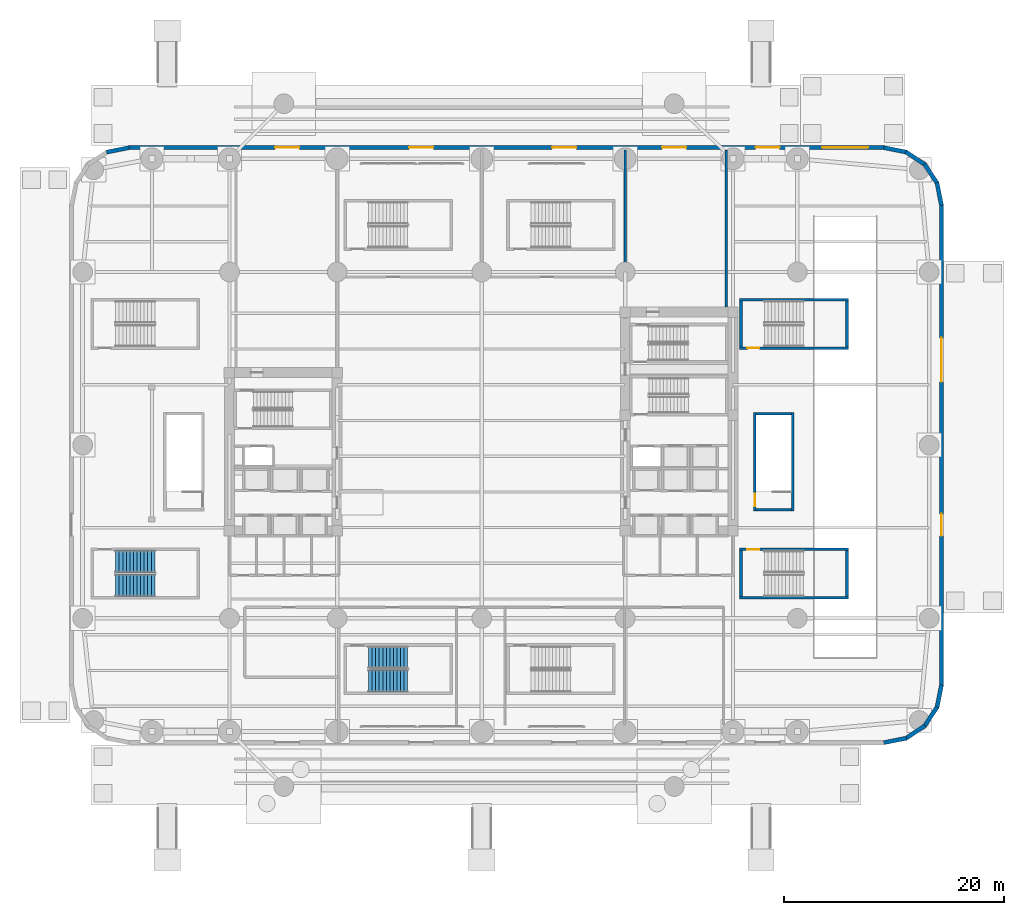
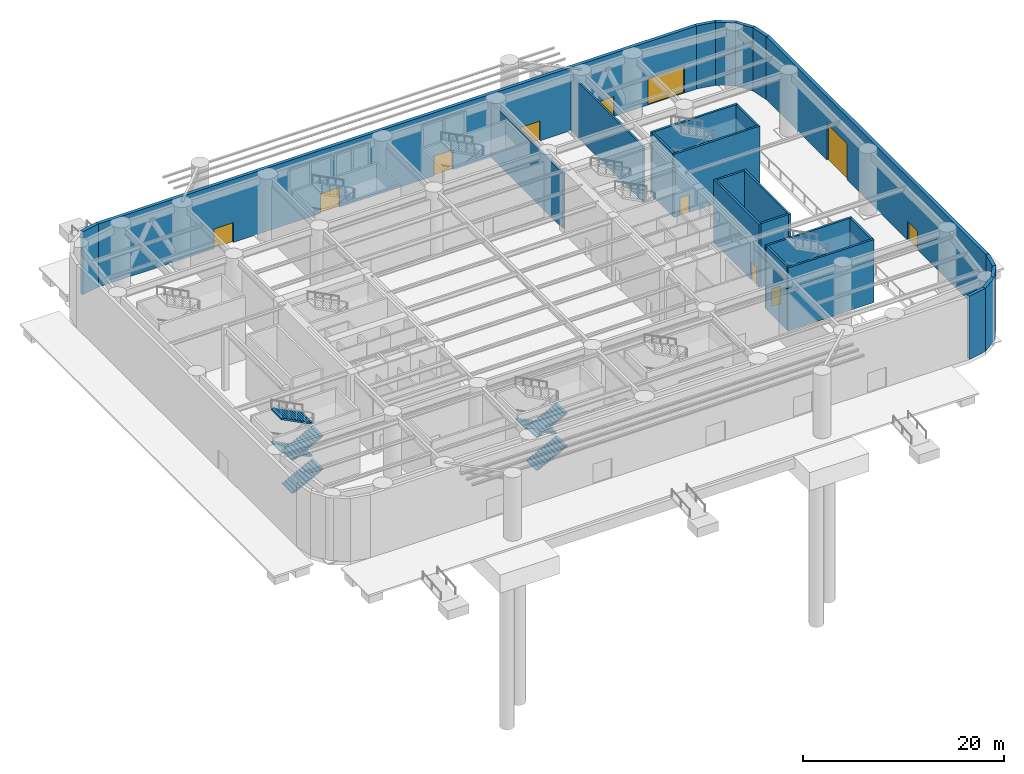
# One storey, part 13 of 25: 25 walls, 11 doors, 7 stair flights, 11 openings, 2 elements without a shape of their own.
"""IFC4 building model written with IfcOpenShell, lengths in metres."""

from ifc_helpers import new_model, si_unit, direction, frame, frame_2d, origin, place, context, subcontext, project, spatial, polyline, rectangle, outline, extrude, material, layer, layer_set, type_object, element, fill, aggregate, save


model = new_model("IFC4")

# Units and contexts
model_context = context("Model", 3, precision=1e-05, world=origin(), true_north=direction((0.0, 1.0)))
body_context = subcontext(model_context, "Body", "Model", "MODEL_VIEW")
ifc_project = project(units=[si_unit("LENGTHUNIT", "METRE"), si_unit("AREAUNIT", "SQUARE_METRE"), si_unit("VOLUMEUNIT", "CUBIC_METRE"), si_unit("PLANEANGLEUNIT", "RADIAN"), si_unit("MASSUNIT", "GRAM", prefix="KILO")], contexts=[model_context])

# Site, building, storey
site_placement = place(None, origin())
site = spatial("IfcSite", under=ifc_project, at=site_placement, CompositionType="ELEMENT")
building_placement = place(site_placement, origin())
building = spatial("IfcBuilding", under=site, at=building_placement, Name="Kolvaren Arena Tower", CompositionType="ELEMENT")
storey_placement = place(building_placement, origin())
storey = spatial("IfcBuildingStorey", under=building, at=storey_placement, Name="L00", CompositionType="ELEMENT", Elevation=0.0)

# Walls
ifc_material_1 = material(Name="Precast concrete C50/60", Category="concrete")
ifc_layer_1 = layer(ifc_material_1, 0.3798828125)
ifc_layer_set_1 = layer_set([ifc_layer_1], Name="Precast concrete C50/60")
wall_type_1 = type_object("IfcWallType", Name="EXT-ARENA", PredefinedType="SOLIDWALL", material=ifc_layer_set_1)
for number, where, z_axis, x_axis, name in (
    (1, (76.12939453125, 0.597412109375, 0.0), (0.0, 0.0, 1.0), (-0.9807762837, -0.195135546048, 0.0), "Exterior Precast Masonry-Frame Wall (L00)"),
    (2, (77.812744140625, 1.739501953125, 0.0), (0.0, 0.0, 1.0), (-0.831515102434, -0.555502146192, 0.0), "Exterior Precast Masonry-Frame Wall (L00)"),
    (3, (78.930908203125, 3.439208984375, 0.0), (0.0, 0.0, 1.0), (-0.555502146192, -0.831515102434, 0.0), "Exterior Precast Masonry-Frame Wall (L00)"),
    (4, (79.313720703125, 5.43701171875, 0.0), (0.0, 0.0, 1.0), (-0.195135546048, -0.9807762837, 0.0), "Exterior Precast Masonry-Frame Wall (L00)"),
):
    element("IfcWall", number, at=place(storey_placement, frame(where, z_axis=z_axis, x_axis=x_axis)), inside=storey, type_object=wall_type_1, Name=name, PredefinedType="SOLIDWALL", context=body_context, shape_type="SweptSolid", body=[
        extrude(rectangle(XDim=2.10693359375, YDim=0.3798828125, at=frame_2d((1.053466796875, 0.0))), origin(), (0.0, 0.0, 1.0), 7.64990234375),
    ])

# Wall, openings, doors
wall_1_placement = place(storey_placement, frame((79.31005859375, 49.10009765625, 0.0), z_axis=(0.0, 0.0, 1.0), x_axis=(0.0, -1.0, 0.0)))
wall_1 = element("IfcWall", 5, at=wall_1_placement, inside=storey, type_object=wall_type_1, Name="Exterior Precast Masonry-Frame Wall (L00)", PredefinedType="SOLIDWALL", context=body_context, shape_type="SweptSolid", body=[
    extrude(rectangle(XDim=43.7001953125, YDim=0.3798828125, at=frame_2d((21.85009765625, 0.0))), origin(), (0.0, 0.0, 1.0), 7.64990234375),
])
opening_1_placement = place(wall_1_placement, frame((12.10009765625, 0.0, 0.0)))
opening_1 = element("IfcOpeningElement", 6, at=opening_1_placement, cuts=wall_1, Name="Opening VG2", PredefinedType="OPENING", context=body_context, shape_type="SweptSolid", body=[
    extrude(rectangle(XDim=4.0, YDim=4.39990234375, at=frame_2d((2.0, 2.199951171875))), frame((0.0, 0.199951171875, 0.0), z_axis=(0.0, -1.0, 0.0), x_axis=(1.0, 0.0, 0.0)), (0.0, 0.0, 1.0), 0.39990234375),
])
opening_2_placement = place(wall_1_placement, frame((28.10009765625, 0.0, 0.0)))
opening_2 = element("IfcOpeningElement", 7, at=opening_2_placement, cuts=wall_1, Name="Opening D02", PredefinedType="OPENING", context=body_context, shape_type="SweptSolid", body=[
    extrude(rectangle(XDim=2.0, YDim=2.300048828125, at=frame_2d((1.0, 1.14990234375))), frame((0.0, 0.199951171875, 0.0), z_axis=(0.0, -1.0, 0.0), x_axis=(1.0, 0.0, 0.0)), (0.0, 0.0, 1.0), 0.39990234375),
])
ifc_material_2 = material(Name="Painted hollow metal assembly door", Category="steel")
door_type_1 = type_object("IfcDoorType", Name="DOOR-AR-DBL", OperationType="DOUBLE_DOOR_SINGLE_SWING", PredefinedType="DOOR", material=ifc_material_2)
door_1_placement = place(opening_2_placement, origin())
door_1 = element("IfcDoor", 8, at=door_1_placement, inside=storey, type_object=door_type_1, Name="East Tower Lobby Final Exit Door", OperationType="DOUBLE_DOOR_SINGLE_SWING", OverallHeight=2.300048828125, OverallWidth=2.0, PredefinedType="DOOR", context=body_context, shape_type="SweptSolid", body=[
    extrude(rectangle(XDim=2.0, YDim=2.300048828125, at=frame_2d((1.0, 1.14990234375))), frame((0.0, 0.02490234375, 0.0), z_axis=(0.0, -1.0, 0.0), x_axis=(1.0, 0.0, 0.0)), (0.0, 0.0, 1.0), 0.050048828125),
])
fill(opening_2, door_1)
ifc_material_3 = material(Name="Insulated steel loading dock coiling shutter", Category="steel")
door_type_2 = type_object("IfcDoorType", Name="GATE-DK-400", OperationType="ROLLINGUP", PredefinedType="GATE", material=ifc_material_3)
door_2_placement = place(opening_1_placement, origin())
door_2 = element("IfcDoor", 9, at=door_2_placement, inside=storey, type_object=door_type_2, Name="Arena Loading Dock Coiling Shutter VG2", OperationType="ROLLINGUP", OverallHeight=4.39990234375, OverallWidth=4.0, PredefinedType="GATE", context=body_context, shape_type="SweptSolid", body=[
    extrude(rectangle(XDim=4.0, YDim=4.39990234375, at=frame_2d((2.0, 2.199951171875))), frame((0.0, 0.02490234375, 0.0), z_axis=(0.0, -1.0, 0.0), x_axis=(1.0, 0.0, 0.0)), (0.0, 0.0, 1.0), 0.050048828125),
])
fill(opening_1, door_2)

# Walls
for number, where, z_axis, x_axis, name in (
    (10, (78.902587890625, 51.12939453125, 0.0), (0.0, 0.0, 1.0), (0.195135546048, -0.9807762837, 0.0), "Exterior Precast Masonry-Frame Wall (L00)"),
    (11, (77.760498046875, 52.812744140625, 0.0), (0.0, 0.0, 1.0), (0.555502146192, -0.831515102434, 0.0), "Exterior Precast Masonry-Frame Wall (L00)"),
    (12, (76.060791015625, 53.930908203125, 0.0), (0.0, 0.0, 1.0), (0.831515102434, -0.555502146192, 0.0), "Exterior Precast Masonry-Frame Wall (L00)"),
    (13, (74.06298828125, 54.313720703125, 0.0), (0.0, 0.0, 1.0), (0.9807762837, -0.195135546048, 0.0), "Exterior Precast Masonry-Frame Wall (L00)"),
):
    element("IfcWall", number, at=place(storey_placement, frame(where, z_axis=z_axis, x_axis=x_axis)), inside=storey, type_object=wall_type_1, Name=name, PredefinedType="SOLIDWALL", context=body_context, shape_type="SweptSolid", body=[
        extrude(rectangle(XDim=2.10693359375, YDim=0.3798828125, at=frame_2d((1.053466796875, 0.0))), origin(), (0.0, 0.0, 1.0), 7.64990234375),
    ])

# Wall, openings, doors
wall_2_placement = place(storey_placement, frame((5.39990234375, 54.31005859375, 0.0), z_axis=(0.0, 0.0, 1.0), x_axis=(1.0, 0.0, 0.0)))
wall_2 = element("IfcWall", 14, at=wall_2_placement, inside=storey, type_object=wall_type_1, Name="Exterior Precast Masonry-Frame Wall (L00)", PredefinedType="SOLIDWALL", context=body_context, shape_type="SweptSolid", body=[
    extrude(rectangle(XDim=68.7001953125, YDim=0.3798828125, at=frame_2d((34.35009765625, 0.0))), origin(), (0.0, 0.0, 1.0), 7.64990234375),
])
opening_3_placement = place(wall_2_placement, frame((63.050048828125, 0.0, 0.0)))
opening_3 = element("IfcOpeningElement", 15, at=opening_3_placement, cuts=wall_2, Name="Opening VG1", PredefinedType="OPENING", context=body_context, shape_type="SweptSolid", body=[
    extrude(rectangle(XDim=4.199951171875, YDim=3.199951171875, at=frame_2d((2.10009765625, 1.60009765625))), frame((0.0, 0.199951171875, 0.0), z_axis=(0.0, -1.0, 0.0), x_axis=(1.0, 0.0, 0.0)), (0.0, 0.0, 1.0), 0.39990234375),
])
opening_4_placement = place(wall_2_placement, frame((13.300048828125, 0.0, 0.0)))
opening_4 = element("IfcOpeningElement", 16, at=opening_4_placement, cuts=wall_2, Name="Opening D01", PredefinedType="OPENING", context=body_context, shape_type="SweptSolid", body=[
    extrude(rectangle(XDim=2.199951171875, YDim=2.39990234375, at=frame_2d((1.10009765625, 1.199951171875))), frame((0.0, 0.199951171875, 0.0), z_axis=(0.0, -1.0, 0.0), x_axis=(1.0, 0.0, 0.0)), (0.0, 0.0, 1.0), 0.39990234375),
])
opening_5_placement = place(wall_2_placement, frame((25.5, 0.0, 0.0)))
opening_5 = element("IfcOpeningElement", 17, at=opening_5_placement, cuts=wall_2, Name="Opening D01", PredefinedType="OPENING", context=body_context, shape_type="SweptSolid", body=[
    extrude(rectangle(XDim=2.199951171875, YDim=2.39990234375, at=frame_2d((1.10009765625, 1.199951171875))), frame((0.0, 0.199951171875, 0.0), z_axis=(0.0, -1.0, 0.0), x_axis=(1.0, 0.0, 0.0)), (0.0, 0.0, 1.0), 0.39990234375),
])
opening_6_placement = place(wall_2_placement, frame((38.5, 0.0, 0.0)))
opening_6 = element("IfcOpeningElement", 18, at=opening_6_placement, cuts=wall_2, Name="Opening D01", PredefinedType="OPENING", context=body_context, shape_type="SweptSolid", body=[
    extrude(rectangle(XDim=2.199951171875, YDim=2.39990234375, at=frame_2d((1.10009765625, 1.199951171875))), frame((0.0, 0.199951171875, 0.0), z_axis=(0.0, -1.0, 0.0), x_axis=(1.0, 0.0, 0.0)), (0.0, 0.0, 1.0), 0.39990234375),
])
opening_7_placement = place(wall_2_placement, frame((48.5, 0.0, 0.0)))
opening_7 = element("IfcOpeningElement", 19, at=opening_7_placement, cuts=wall_2, Name="Opening D01", PredefinedType="OPENING", context=body_context, shape_type="SweptSolid", body=[
    extrude(rectangle(XDim=2.199951171875, YDim=2.39990234375, at=frame_2d((1.10009765625, 1.199951171875))), frame((0.0, 0.199951171875, 0.0), z_axis=(0.0, -1.0, 0.0), x_axis=(1.0, 0.0, 0.0)), (0.0, 0.0, 1.0), 0.39990234375),
])
opening_8_placement = place(wall_2_placement, frame((57.0, 0.0, 0.0)))
opening_8 = element("IfcOpeningElement", 20, at=opening_8_placement, cuts=wall_2, Name="Opening D01", PredefinedType="OPENING", context=body_context, shape_type="SweptSolid", body=[
    extrude(rectangle(XDim=2.199951171875, YDim=2.39990234375, at=frame_2d((1.10009765625, 1.199951171875))), frame((0.0, 0.199951171875, 0.0), z_axis=(0.0, -1.0, 0.0), x_axis=(1.0, 0.0, 0.0)), (0.0, 0.0, 1.0), 0.39990234375),
])
ifc_material_4 = material(Name="Aluminium thermally broken glazed entrance", Category="aluminium")
door_type_3 = type_object("IfcDoorType", Name="DOOR-EX-DBL", OperationType="DOUBLE_DOOR_SINGLE_SWING", PredefinedType="DOOR", material=ifc_material_4)
door_3_placement = place(opening_4_placement, origin())
door_3 = element("IfcDoor", 21, at=door_3_placement, inside=storey, type_object=door_type_3, Name="North Final Exit Discharge Door N1", OperationType="DOUBLE_DOOR_SINGLE_SWING", OverallHeight=2.39990234375, OverallWidth=2.199951171875, PredefinedType="DOOR", context=body_context, shape_type="SweptSolid", body=[
    extrude(rectangle(XDim=2.199951171875, YDim=2.39990234375, at=frame_2d((1.10009765625, 1.199951171875))), frame((0.0, 0.02490234375, 0.0), z_axis=(0.0, -1.0, 0.0), x_axis=(1.0, 0.0, 0.0)), (0.0, 0.0, 1.0), 0.050048828125),
])
fill(opening_4, door_3)
door_4_placement = place(opening_5_placement, origin())
door_4 = element("IfcDoor", 22, at=door_4_placement, inside=storey, type_object=door_type_3, Name="North Final Exit Discharge Door N2", OperationType="DOUBLE_DOOR_SINGLE_SWING", OverallHeight=2.39990234375, OverallWidth=2.199951171875, PredefinedType="DOOR", context=body_context, shape_type="SweptSolid", body=[
    extrude(rectangle(XDim=2.199951171875, YDim=2.39990234375, at=frame_2d((1.10009765625, 1.199951171875))), frame((0.0, 0.02490234375, 0.0), z_axis=(0.0, -1.0, 0.0), x_axis=(1.0, 0.0, 0.0)), (0.0, 0.0, 1.0), 0.050048828125),
])
fill(opening_5, door_4)
door_5_placement = place(opening_6_placement, origin())
door_5 = element("IfcDoor", 23, at=door_5_placement, inside=storey, type_object=door_type_3, Name="North Final Exit Discharge Door N3", OperationType="DOUBLE_DOOR_SINGLE_SWING", OverallHeight=2.39990234375, OverallWidth=2.199951171875, PredefinedType="DOOR", context=body_context, shape_type="SweptSolid", body=[
    extrude(rectangle(XDim=2.199951171875, YDim=2.39990234375, at=frame_2d((1.10009765625, 1.199951171875))), frame((0.0, 0.02490234375, 0.0), z_axis=(0.0, -1.0, 0.0), x_axis=(1.0, 0.0, 0.0)), (0.0, 0.0, 1.0), 0.050048828125),
])
fill(opening_6, door_5)
door_6_placement = place(opening_7_placement, origin())
door_6 = element("IfcDoor", 24, at=door_6_placement, inside=storey, type_object=door_type_3, Name="North Final Exit Discharge Door N4", OperationType="DOUBLE_DOOR_SINGLE_SWING", OverallHeight=2.39990234375, OverallWidth=2.199951171875, PredefinedType="DOOR", context=body_context, shape_type="SweptSolid", body=[
    extrude(rectangle(XDim=2.199951171875, YDim=2.39990234375, at=frame_2d((1.10009765625, 1.199951171875))), frame((0.0, 0.02490234375, 0.0), z_axis=(0.0, -1.0, 0.0), x_axis=(1.0, 0.0, 0.0)), (0.0, 0.0, 1.0), 0.050048828125),
])
fill(opening_7, door_6)
door_7_placement = place(opening_8_placement, origin())
door_7 = element("IfcDoor", 25, at=door_7_placement, inside=storey, type_object=door_type_3, Name="North Final Exit Discharge Door N5", OperationType="DOUBLE_DOOR_SINGLE_SWING", OverallHeight=2.39990234375, OverallWidth=2.199951171875, PredefinedType="DOOR", context=body_context, shape_type="SweptSolid", body=[
    extrude(rectangle(XDim=2.199951171875, YDim=2.39990234375, at=frame_2d((1.10009765625, 1.199951171875))), frame((0.0, 0.02490234375, 0.0), z_axis=(0.0, -1.0, 0.0), x_axis=(1.0, 0.0, 0.0)), (0.0, 0.0, 1.0), 0.050048828125),
])
fill(opening_8, door_7)
ifc_material_5 = material(Name="Insulated aluminium high-speed vehicle ramp gate", Category="aluminium")
door_type_4 = type_object("IfcDoorType", Name="GATE-VH-420", OperationType="ROLLINGUP", PredefinedType="GATE", material=ifc_material_5)
door_8_placement = place(opening_3_placement, origin())
door_8 = element("IfcDoor", 26, at=door_8_placement, inside=storey, type_object=door_type_4, Name="Vehicle Ramp High-Speed Exit Gate VG1", OperationType="ROLLINGUP", OverallHeight=3.199951171875, OverallWidth=4.199951171875, PredefinedType="GATE", context=body_context, shape_type="SweptSolid", body=[
    extrude(rectangle(XDim=4.199951171875, YDim=3.199951171875, at=frame_2d((2.10009765625, 1.60009765625))), frame((0.0, 0.02490234375, 0.0), z_axis=(0.0, -1.0, 0.0), x_axis=(1.0, 0.0, 0.0)), (0.0, 0.0, 1.0), 0.050048828125),
])
fill(opening_3, door_8)

# Wall
wall_3_placement = place(storey_placement, frame((3.37060546875, 53.902587890625, 0.0), z_axis=(0.0, 0.0, 1.0), x_axis=(0.9807762837, 0.195135546048, 0.0)))
element("IfcWall", 27, at=wall_3_placement, inside=storey, type_object=wall_type_1, Name="Exterior Precast Masonry-Frame Wall (L00)", PredefinedType="SOLIDWALL", context=body_context, shape_type="SweptSolid", body=[
    extrude(rectangle(XDim=2.10693359375, YDim=0.3798828125, at=frame_2d((1.053466796875, 0.0))), origin(), (0.0, 0.0, 1.0), 7.64990234375),
])

# Wall, opening, door
ifc_material_6 = material(Name="Concrete 45 MPa", Category="concrete")
ifc_layer_2 = layer(ifc_material_6, 0.25)
ifc_layer_set_2 = layer_set([ifc_layer_2], Name="Concrete 45 MPa")
wall_type_2 = type_object("IfcWallType", Name="SHAFT-250", PredefinedType="SOLIDWALL", material=ifc_layer_set_2)
wall_4_placement = place(storey_placement, frame((60.9599609375, 17.77001953125, 0.0), z_axis=(0.0, 0.0, 1.0), x_axis=(1.0, 0.0, 0.0)))
wall_4 = element("IfcWall", 28, at=wall_4_placement, inside=storey, type_object=wall_type_2, Name="Stair ST-A4 Rated Enclosure Wall (L00)", PredefinedType="SOLIDWALL", context=body_context, shape_type="SweptSolid", body=[
    extrude(rectangle(XDim=9.880126953125, YDim=0.239990234375, at=frame_2d((4.93994140625, 0.0))), origin(), (0.0, 0.0, 1.0), 7.64990234375),
])
opening_9_placement = place(wall_4_placement, frame((0.68994140625, 0.0, 0.0)))
opening_9 = element("IfcOpeningElement", 29, at=opening_9_placement, cuts=wall_4, Name="Opening D03", PredefinedType="OPENING", context=body_context, shape_type="SweptSolid", body=[
    extrude(rectangle(XDim=1.10009765625, YDim=2.14990234375, at=frame_2d((0.550048828125, 1.074951171875))), frame((0.0, 0.1298828125, 0.0), z_axis=(0.0, -1.0, 0.0), x_axis=(1.0, 0.0, 0.0)), (0.0, 0.0, 1.0), 0.260009765625),
])
ifc_material_7 = material(Name="Fire-rated steel exit stair door", Category="steel")
door_type_5 = type_object("IfcDoorType", Name="DOOR-ST-110", OperationType="NOTDEFINED", PredefinedType="DOOR", material=ifc_material_7)
door_9_placement = place(opening_9_placement, origin())
door_9 = element("IfcDoor", 30, at=door_9_placement, inside=storey, type_object=door_type_5, Name="Exit Stair ST-A4 Fire Door (L00)", OperationType="SINGLE_SWING_LEFT", OverallHeight=2.14990234375, OverallWidth=1.10009765625, PredefinedType="DOOR", context=body_context, shape_type="SweptSolid", body=[
    extrude(rectangle(XDim=1.10009765625, YDim=2.14990234375, at=frame_2d((0.550048828125, 1.074951171875))), frame((0.0, 0.02490234375, 0.0), z_axis=(0.0, -1.0, 0.0), x_axis=(1.0, 0.0, 0.0)), (0.0, 0.0, 1.0), 0.050048828125),
])
fill(opening_9, door_9)

# Walls
wall_5_placement = place(storey_placement, frame((60.9599609375, 13.3798828125, 0.0), z_axis=(0.0, 0.0, 1.0), x_axis=(1.0, 0.0, 0.0)))
element("IfcWall", 31, at=wall_5_placement, inside=storey, type_object=wall_type_2, Name="Stair ST-A4 Rear Shaft Wall (L00)", PredefinedType="SOLIDWALL", context=body_context, shape_type="SweptSolid", body=[
    extrude(rectangle(XDim=9.880126953125, YDim=0.239990234375, at=frame_2d((4.93994140625, 0.0))), origin(), (0.0, 0.0, 1.0), 7.64990234375),
])
for number, where, z_axis, x_axis, name in (
    (32, (61.080078125, 13.5, 0.0), (0.0, 0.0, 1.0), (0.0, 1.0, 0.0), "Stair ST-A4 West Shaft Wall (L00)"),
    (33, (70.719970703125, 13.5, 0.0), (0.0, 0.0, 1.0), (0.0, 1.0, 0.0), "Stair ST-A4 East Shaft Wall (L00)"),
):
    element("IfcWall", number, at=place(storey_placement, frame(where, z_axis=z_axis, x_axis=x_axis)), inside=storey, type_object=wall_type_2, Name=name, PredefinedType="SOLIDWALL", context=body_context, shape_type="SweptSolid", body=[
        extrude(rectangle(XDim=4.14990234375, YDim=0.239990234375, at=frame_2d((2.074951171875, 0.0))), origin(), (0.0, 0.0, 1.0), 7.64990234375),
    ])

# Wall, opening, door
wall_6_placement = place(storey_placement, frame((70.840087890625, 36.080078125, 0.0), z_axis=(0.0, 0.0, 1.0), x_axis=(-1.0, 0.0, 0.0)))
wall_6 = element("IfcWall", 34, at=wall_6_placement, inside=storey, type_object=wall_type_2, Name="Stair ST-A8 Rated Enclosure Wall (L00)", PredefinedType="SOLIDWALL", context=body_context, shape_type="SweptSolid", body=[
    extrude(rectangle(XDim=9.880126953125, YDim=0.239990234375, at=frame_2d((4.93994140625, 0.0))), origin(), (0.0, 0.0, 1.0), 7.64990234375),
])
opening_10_placement = place(wall_6_placement, frame((8.090087890625, 0.0, 0.0)))
opening_10 = element("IfcOpeningElement", 35, at=opening_10_placement, cuts=wall_6, Name="Opening D03", PredefinedType="OPENING", context=body_context, shape_type="SweptSolid", body=[
    extrude(rectangle(XDim=1.10009765625, YDim=2.14990234375, at=frame_2d((0.550048828125, 1.074951171875))), frame((0.0, 0.1298828125, 0.0), z_axis=(0.0, -1.0, 0.0), x_axis=(1.0, 0.0, 0.0)), (0.0, 0.0, 1.0), 0.260009765625),
])
door_10_placement = place(opening_10_placement, origin())
door_10 = element("IfcDoor", 36, at=door_10_placement, inside=storey, type_object=door_type_5, Name="Exit Stair ST-A8 Fire Door (L00)", OperationType="SINGLE_SWING_LEFT", OverallHeight=2.14990234375, OverallWidth=1.10009765625, PredefinedType="DOOR", context=body_context, shape_type="SweptSolid", body=[
    extrude(rectangle(XDim=1.10009765625, YDim=2.14990234375, at=frame_2d((0.550048828125, 1.074951171875))), frame((0.0, 0.02490234375, 0.0), z_axis=(0.0, -1.0, 0.0), x_axis=(1.0, 0.0, 0.0)), (0.0, 0.0, 1.0), 0.050048828125),
])
fill(opening_10, door_10)

# Walls
wall_7_placement = place(storey_placement, frame((60.9599609375, 40.469970703125, 0.0), z_axis=(0.0, 0.0, 1.0), x_axis=(1.0, 0.0, 0.0)))
element("IfcWall", 37, at=wall_7_placement, inside=storey, type_object=wall_type_2, Name="Stair ST-A8 Rear Shaft Wall (L00)", PredefinedType="SOLIDWALL", context=body_context, shape_type="SweptSolid", body=[
    extrude(rectangle(XDim=9.880126953125, YDim=0.239990234375, at=frame_2d((4.93994140625, 0.0))), origin(), (0.0, 0.0, 1.0), 7.64990234375),
])
for number, where, z_axis, x_axis, name in (
    (38, (61.080078125, 36.199951171875, 0.0), (0.0, 0.0, 1.0), (0.0, 1.0, 0.0), "Stair ST-A8 West Shaft Wall (L00)"),
    (39, (70.719970703125, 36.199951171875, 0.0), (0.0, 0.0, 1.0), (0.0, 1.0, 0.0), "Stair ST-A8 East Shaft Wall (L00)"),
):
    element("IfcWall", number, at=place(storey_placement, frame(where, z_axis=z_axis, x_axis=x_axis)), inside=storey, type_object=wall_type_2, Name=name, PredefinedType="SOLIDWALL", context=body_context, shape_type="SweptSolid", body=[
        extrude(rectangle(XDim=4.150146484375, YDim=0.239990234375, at=frame_2d((2.0751953125, 0.0))), origin(), (0.0, 0.0, 1.0), 7.64990234375),
    ])

# Wall, opening, door
wall_8_placement = place(storey_placement, frame((62.340087890625, 21.260009765625, 0.0), z_axis=(0.0, 0.0, 1.0), x_axis=(0.0, 1.0, 0.0)))
wall_8 = element("IfcWall", 40, at=wall_8_placement, inside=storey, type_object=wall_type_2, Name="Stair ST-B2 Rated Enclosure Wall (L00)", PredefinedType="SOLIDWALL", context=body_context, shape_type="SweptSolid", body=[
    extrude(rectangle(XDim=8.97998046875, YDim=0.239990234375, at=frame_2d((4.489990234375, 0.0))), origin(), (0.0, 0.0, 1.0), 7.64990234375),
])
opening_11_placement = place(wall_8_placement, frame((0.449951171875, 0.0, 0.0)))
opening_11 = element("IfcOpeningElement", 41, at=opening_11_placement, cuts=wall_8, Name="Opening D03", PredefinedType="OPENING", context=body_context, shape_type="SweptSolid", body=[
    extrude(rectangle(XDim=1.10009765625, YDim=2.14990234375, at=frame_2d((0.550048828125, 1.074951171875))), frame((0.0, 0.1298828125, 0.0), z_axis=(0.0, -1.0, 0.0), x_axis=(1.0, 0.0, 0.0)), (0.0, 0.0, 1.0), 0.260009765625),
])
door_11_placement = place(opening_11_placement, origin())
door_11 = element("IfcDoor", 42, at=door_11_placement, inside=storey, type_object=door_type_5, Name="Exit Stair ST-B2 Fire Door (L00)", OperationType="SINGLE_SWING_LEFT", OverallHeight=2.14990234375, OverallWidth=1.10009765625, PredefinedType="DOOR", context=body_context, shape_type="SweptSolid", body=[
    extrude(rectangle(XDim=1.10009765625, YDim=2.14990234375, at=frame_2d((0.550048828125, 1.074951171875))), frame((0.0, 0.02490234375, 0.0), z_axis=(0.0, -1.0, 0.0), x_axis=(1.0, 0.0, 0.0)), (0.0, 0.0, 1.0), 0.050048828125),
])
fill(opening_11, door_11)

# Walls
wall_9_placement = place(storey_placement, frame((65.77001953125, 21.260009765625, 0.0), z_axis=(0.0, 0.0, 1.0), x_axis=(0.0, 1.0, 0.0)))
element("IfcWall", 43, at=wall_9_placement, inside=storey, type_object=wall_type_2, Name="Stair ST-B2 Rear Shaft Wall (L00)", PredefinedType="SOLIDWALL", context=body_context, shape_type="SweptSolid", body=[
    extrude(rectangle(XDim=8.97998046875, YDim=0.239990234375, at=frame_2d((4.489990234375, 0.0))), origin(), (0.0, 0.0, 1.0), 7.64990234375),
])
for number, where, z_axis, x_axis, name in (
    (44, (62.4599609375, 21.3798828125, 0.0), (0.0, 0.0, 1.0), (1.0, 0.0, 0.0), "Stair ST-B2 South Shaft Wall (L00)"),
    (45, (62.4599609375, 30.1201171875, 0.0), (0.0, 0.0, 1.0), (1.0, 0.0, 0.0), "Stair ST-B2 North Shaft Wall (L00)"),
):
    element("IfcWall", number, at=place(storey_placement, frame(where, z_axis=z_axis, x_axis=x_axis)), inside=storey, type_object=wall_type_2, Name=name, PredefinedType="SOLIDWALL", context=body_context, shape_type="SweptSolid", body=[
        extrude(rectangle(XDim=3.18994140625, YDim=0.239990234375, at=frame_2d((1.594970703125, 0.0))), origin(), (0.0, 0.0, 1.0), 7.64990234375),
    ])
for number, where, z_axis, x_axis, name in (
    (46, (50.550048828125, 39.800048828125, 0.0), (0.0, 0.0, 1.0), (0.0, 1.0, 0.0), "Interior Partition Wall (L00)"),
    (47, (59.75, 39.800048828125, 0.0), (0.0, 0.0, 1.0), (0.0, 1.0, 0.0), "Interior Partition Wall (L00)"),
):
    element("IfcWall", number, at=place(storey_placement, frame(where, z_axis=z_axis, x_axis=x_axis)), inside=storey, type_object=wall_type_2, Name=name, PredefinedType="SOLIDWALL", context=body_context, shape_type="SweptSolid", body=[
        extrude(rectangle(XDim=14.300048828125, YDim=0.219970703125, at=frame_2d((7.14990234375, 0.0))), origin(), (0.0, 0.0, 1.0), 6.7099609375),
    ])

# Stair, stair flights
stair_type = type_object("IfcStairType", Name="STAIR-ARENA-220", PredefinedType="HALF_TURN_STAIR", material=ifc_material_6)
stair_1_placement = place(storey_placement, origin())
stair_1 = element("IfcStair", 48, at=stair_1_placement, inside=storey, type_object=stair_type, Name="L00 ST-A1", PredefinedType="HALF_TURN_STAIR")
stair_flight_type = type_object("IfcStairFlightType", Name="FLT-220", PredefinedType="STRAIGHT", material=ifc_material_6)
stair_flight_1_placement = place(storey_placement, frame((4.199951171875, 14.5, 0.0), z_axis=(0.0, 0.0, 1.0), x_axis=(1.0, 0.0, 0.0)))
stair_flight_1 = element("IfcStairFlight", 49, at=stair_flight_1_placement, type_object=stair_flight_type, Name="ST-A1 flight 1", NumberOfRisers=12, NumberOfTreads=11, PredefinedType="STRAIGHT", RiserHeight=0.166666667, TreadLength=0.324, context=body_context, shape_type="SweptSolid", body=[
    extrude(outline(polyline([(0.0, 0.0), (0.0, 0.166748046875), (0.323974609375, 0.166748046875), (0.323974609375, 0.333251953125), (0.64794921875, 0.333251953125), (0.64794921875, 0.5), (0.971923828125, 0.5), (0.971923828125, 0.666748046875), (1.2958984375, 0.666748046875), (1.2958984375, 0.833251953125), (1.6201171875, 0.833251953125), (1.6201171875, 1.0), (1.944091796875, 1.0), (1.944091796875, 1.166748046875), (2.26806640625, 1.166748046875), (2.26806640625, 1.333251953125), (2.592041015625, 1.333251953125), (2.592041015625, 1.5), (2.916015625, 1.5), (2.916015625, 1.666748046875), (3.239990234375, 1.666748046875), (3.239990234375, 1.833251953125), (3.56396484375, 1.833251953125), (3.56396484375, 2.0), (3.56396484375, 1.664794921875), (0.32763671875, 0.0), (0.0, 0.0)])), frame((0.0, 1.0, 0.0), z_axis=(0.0, -1.0, 0.0), x_axis=(1.0, 0.0, 0.0)), (0.0, 0.0, 1.0), 2.0),
])
stair_flight_2_placement = place(storey_placement, frame((7.763916015625, 16.64990234375, 2.0), z_axis=(0.0, 0.0, 1.0), x_axis=(-1.0, 0.0, 0.0)))
stair_flight_2 = element("IfcStairFlight", 50, at=stair_flight_2_placement, type_object=stair_flight_type, Name="ST-A1 flight 2", NumberOfRisers=12, NumberOfTreads=11, PredefinedType="STRAIGHT", RiserHeight=0.166666667, TreadLength=0.324, context=body_context, shape_type="SweptSolid", body=[
    extrude(outline(polyline([(0.0, 0.0), (0.0, 0.166748046875), (0.323974609375, 0.166748046875), (0.323974609375, 0.333251953125), (0.64794921875, 0.333251953125), (0.64794921875, 0.5), (0.971923828125, 0.5), (0.971923828125, 0.666748046875), (1.2958984375, 0.666748046875), (1.2958984375, 0.833251953125), (1.6201171875, 0.833251953125), (1.6201171875, 1.0), (1.944091796875, 1.0), (1.944091796875, 1.166748046875), (2.26806640625, 1.166748046875), (2.26806640625, 1.333251953125), (2.592041015625, 1.333251953125), (2.592041015625, 1.5), (2.916015625, 1.5), (2.916015625, 1.666748046875), (3.239990234375, 1.666748046875), (3.239990234375, 1.833251953125), (3.56396484375, 1.833251953125), (3.56396484375, 2.0), (3.56396484375, 1.664794921875), (0.32763671875, 0.0), (0.0, 0.0)])), frame((0.0, 1.0, 0.0), z_axis=(0.0, -1.0, 0.0), x_axis=(1.0, 0.0, 0.0)), (0.0, 0.0, 1.0), 2.0),
])
stair_flight_3_placement = place(storey_placement, frame((4.199951171875, 14.5, 4.0), z_axis=(0.0, 0.0, 1.0), x_axis=(1.0, 0.0, 0.0)))
stair_flight_3 = element("IfcStairFlight", 51, at=stair_flight_3_placement, type_object=stair_flight_type, Name="ST-A1 flight 3", NumberOfRisers=12, NumberOfTreads=11, PredefinedType="STRAIGHT", RiserHeight=0.166666667, TreadLength=0.324, context=body_context, shape_type="SweptSolid", body=[
    extrude(outline(polyline([(0.0, 0.0), (0.0, 0.166748046875), (0.323974609375, 0.166748046875), (0.323974609375, 0.333251953125), (0.64794921875, 0.333251953125), (0.64794921875, 0.5), (0.971923828125, 0.5), (0.971923828125, 0.666748046875), (1.2958984375, 0.666748046875), (1.2958984375, 0.833251953125), (1.6201171875, 0.833251953125), (1.6201171875, 1.0), (1.944091796875, 1.0), (1.944091796875, 1.166748046875), (2.26806640625, 1.166748046875), (2.26806640625, 1.333251953125), (2.592041015625, 1.333251953125), (2.592041015625, 1.5), (2.916015625, 1.5), (2.916015625, 1.666748046875), (3.239990234375, 1.666748046875), (3.239990234375, 1.833251953125), (3.56396484375, 1.833251953125), (3.56396484375, 2.0), (3.56396484375, 1.664794921875), (0.32763671875, 0.0), (0.0, 0.0)])), frame((0.0, 1.0, 0.0), z_axis=(0.0, -1.0, 0.0), x_axis=(1.0, 0.0, 0.0)), (0.0, 0.0, 1.0), 2.0),
])
stair_flight_4_placement = place(storey_placement, frame((7.763916015625, 16.64990234375, 6.0), z_axis=(0.0, 0.0, 1.0), x_axis=(-1.0, 0.0, 0.0)))
stair_flight_4 = element("IfcStairFlight", 52, at=stair_flight_4_placement, type_object=stair_flight_type, Name="ST-A1 flight 4", NumberOfRisers=12, NumberOfTreads=11, PredefinedType="STRAIGHT", RiserHeight=0.166666667, TreadLength=0.324, context=body_context, shape_type="SweptSolid", body=[
    extrude(outline(polyline([(0.0, 0.0), (0.0, 0.166748046875), (0.323974609375, 0.166748046875), (0.323974609375, 0.333251953125), (0.64794921875, 0.333251953125), (0.64794921875, 0.5), (0.971923828125, 0.5), (0.971923828125, 0.666748046875), (1.2958984375, 0.666748046875), (1.2958984375, 0.833251953125), (1.6201171875, 0.833251953125), (1.6201171875, 1.0), (1.944091796875, 1.0), (1.944091796875, 1.166748046875), (2.26806640625, 1.166748046875), (2.26806640625, 1.333251953125), (2.592041015625, 1.333251953125), (2.592041015625, 1.5), (2.916015625, 1.5), (2.916015625, 1.666748046875), (3.239990234375, 1.666748046875), (3.239990234375, 1.833251953125), (3.56396484375, 1.833251953125), (3.56396484375, 2.0), (3.56396484375, 1.664794921875), (0.32763671875, 0.0), (0.0, 0.0)])), frame((0.0, 1.0, 0.0), z_axis=(0.0, -1.0, 0.0), x_axis=(1.0, 0.0, 0.0)), (0.0, 0.0, 1.0), 2.0),
])
aggregate(stair_1, [stair_flight_1, stair_flight_2, stair_flight_3, stair_flight_4])

stair_2_placement = place(storey_placement, origin())
stair_2 = element("IfcStair", 53, at=stair_2_placement, inside=storey, type_object=stair_type, Name="L00 ST-A2", PredefinedType="HALF_TURN_STAIR")
stair_flight_5_placement = place(storey_placement, frame((27.199951171875, 5.800048828125, 0.0), z_axis=(0.0, 0.0, 1.0), x_axis=(1.0, 0.0, 0.0)))
stair_flight_5 = element("IfcStairFlight", 54, at=stair_flight_5_placement, type_object=stair_flight_type, Name="ST-A2 flight 1", NumberOfRisers=12, NumberOfTreads=11, PredefinedType="STRAIGHT", RiserHeight=0.166666667, TreadLength=0.324, context=body_context, shape_type="SweptSolid", body=[
    extrude(outline(polyline([(0.0, 0.0), (0.0, 0.166748046875), (0.323974609375, 0.166748046875), (0.323974609375, 0.333251953125), (0.64794921875, 0.333251953125), (0.64794921875, 0.5), (0.971923828125, 0.5), (0.971923828125, 0.666748046875), (1.2958984375, 0.666748046875), (1.2958984375, 0.833251953125), (1.6201171875, 0.833251953125), (1.6201171875, 1.0), (1.944091796875, 1.0), (1.944091796875, 1.166748046875), (2.26806640625, 1.166748046875), (2.26806640625, 1.333251953125), (2.592041015625, 1.333251953125), (2.592041015625, 1.5), (2.916015625, 1.5), (2.916015625, 1.666748046875), (3.239990234375, 1.666748046875), (3.239990234375, 1.833251953125), (3.56396484375, 1.833251953125), (3.56396484375, 2.0), (3.56396484375, 1.664794921875), (0.32763671875, 0.0), (0.0, 0.0)])), frame((0.0, 1.0, 0.0), z_axis=(0.0, -1.0, 0.0), x_axis=(1.0, 0.0, 0.0)), (0.0, 0.0, 1.0), 2.0),
])
stair_flight_6_placement = place(storey_placement, frame((30.763916015625, 7.949951171875, 2.0), z_axis=(0.0, 0.0, 1.0), x_axis=(-1.0, 0.0, 0.0)))
stair_flight_6 = element("IfcStairFlight", 55, at=stair_flight_6_placement, type_object=stair_flight_type, Name="ST-A2 flight 2", NumberOfRisers=12, NumberOfTreads=11, PredefinedType="STRAIGHT", RiserHeight=0.166666667, TreadLength=0.324, context=body_context, shape_type="SweptSolid", body=[
    extrude(outline(polyline([(0.0, 0.0), (0.0, 0.166748046875), (0.323974609375, 0.166748046875), (0.323974609375, 0.333251953125), (0.64794921875, 0.333251953125), (0.64794921875, 0.5), (0.971923828125, 0.5), (0.971923828125, 0.666748046875), (1.2958984375, 0.666748046875), (1.2958984375, 0.833251953125), (1.6201171875, 0.833251953125), (1.6201171875, 1.0), (1.944091796875, 1.0), (1.944091796875, 1.166748046875), (2.26806640625, 1.166748046875), (2.26806640625, 1.333251953125), (2.592041015625, 1.333251953125), (2.592041015625, 1.5), (2.916015625, 1.5), (2.916015625, 1.666748046875), (3.239990234375, 1.666748046875), (3.239990234375, 1.833251953125), (3.56396484375, 1.833251953125), (3.56396484375, 2.0), (3.56396484375, 1.664794921875), (0.32763671875, 0.0), (0.0, 0.0)])), frame((0.0, 1.0, 0.0), z_axis=(0.0, -1.0, 0.0), x_axis=(1.0, 0.0, 0.0)), (0.0, 0.0, 1.0), 2.0),
])
stair_flight_7_placement = place(storey_placement, frame((27.199951171875, 5.800048828125, 4.0), z_axis=(0.0, 0.0, 1.0), x_axis=(1.0, 0.0, 0.0)))
stair_flight_7 = element("IfcStairFlight", 56, at=stair_flight_7_placement, type_object=stair_flight_type, Name="ST-A2 flight 3", NumberOfRisers=12, NumberOfTreads=11, PredefinedType="STRAIGHT", RiserHeight=0.166666667, TreadLength=0.324, context=body_context, shape_type="SweptSolid", body=[
    extrude(outline(polyline([(0.0, 0.0), (0.0, 0.166748046875), (0.323974609375, 0.166748046875), (0.323974609375, 0.333251953125), (0.64794921875, 0.333251953125), (0.64794921875, 0.5), (0.971923828125, 0.5), (0.971923828125, 0.666748046875), (1.2958984375, 0.666748046875), (1.2958984375, 0.833251953125), (1.6201171875, 0.833251953125), (1.6201171875, 1.0), (1.944091796875, 1.0), (1.944091796875, 1.166748046875), (2.26806640625, 1.166748046875), (2.26806640625, 1.333251953125), (2.592041015625, 1.333251953125), (2.592041015625, 1.5), (2.916015625, 1.5), (2.916015625, 1.666748046875), (3.239990234375, 1.666748046875), (3.239990234375, 1.833251953125), (3.56396484375, 1.833251953125), (3.56396484375, 2.0), (3.56396484375, 1.664794921875), (0.32763671875, 0.0), (0.0, 0.0)])), frame((0.0, 1.0, 0.0), z_axis=(0.0, -1.0, 0.0), x_axis=(1.0, 0.0, 0.0)), (0.0, 0.0, 1.0), 2.0),
])
aggregate(stair_2, [stair_flight_5, stair_flight_6, stair_flight_7])

save(model, "model.ifc")
